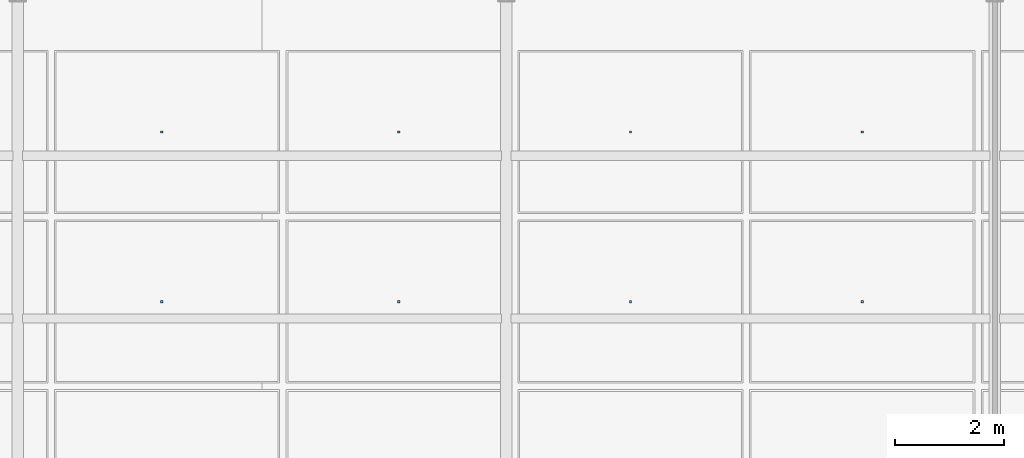
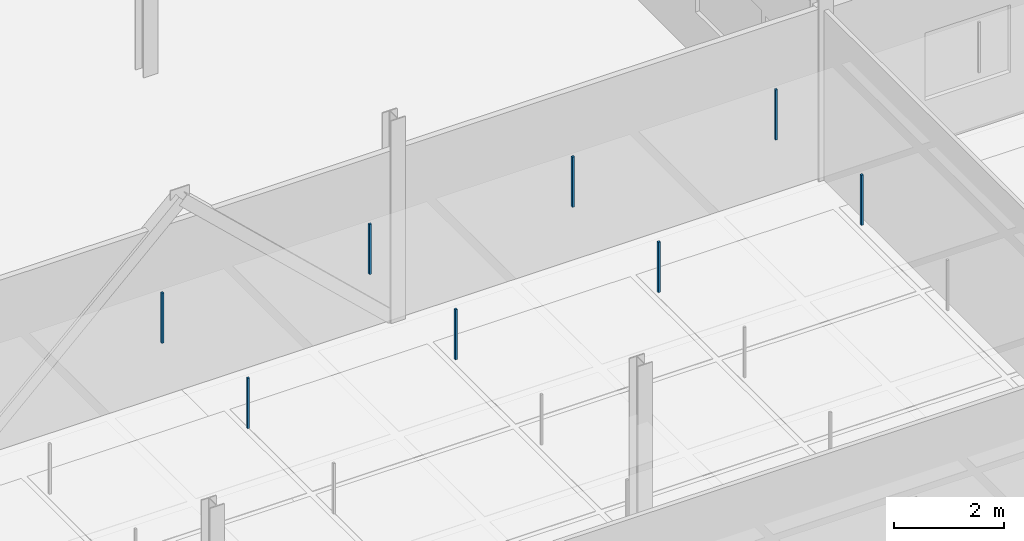
# One storey, part 105 of 130: 8 discrete accessories.
"""IFC4 building model written with IfcOpenShell, lengths in metres."""

from ifc_helpers import new_model, si_unit, direction, frame, origin, origin_2d, place, context, subcontext, project, spatial, rectangle, extrude, material, type_object, element, save


model = new_model("IFC4")

# Units and contexts
model_context = context("Model", 3, precision=1e-05, world=origin(), true_north=direction((0.0, 1.0)))
body_context = subcontext(model_context, "Body", "Model", "MODEL_VIEW")
ifc_project = project(units=[si_unit("LENGTHUNIT", "METRE"), si_unit("AREAUNIT", "SQUARE_METRE"), si_unit("VOLUMEUNIT", "CUBIC_METRE"), si_unit("PLANEANGLEUNIT", "RADIAN"), si_unit("MASSUNIT", "GRAM", prefix="KILO"), si_unit("THERMODYNAMICTEMPERATUREUNIT", "KELVIN"), si_unit("POWERUNIT", "WATT")], contexts=[model_context])

# Site, building, storey
site_placement = place(None, origin())
site = spatial("IfcSite", under=ifc_project, at=site_placement, CompositionType="ELEMENT")
building_placement = place(site_placement, origin())
building = spatial("IfcBuilding", under=site, at=building_placement, Name="Tallowbark Science Centre", CompositionType="ELEMENT")
storey_placement = place(building_placement, frame((0.0, 0.0, 5.39990234375)))
storey = spatial("IfcBuildingStorey", under=building, at=storey_placement, Name="L01", CompositionType="ELEMENT", Elevation=5.39990234375)

# Discrete accessories
ifc_material = material(Name="Galvanised Steel Grade C350L0 (350 MPa)", Category="steel")
discrete_accessory_type = type_object("IfcDiscreteAccessoryType", Name="ACC-CLG-HNG", PredefinedType="BRACKET", material=ifc_material)
for number, where, z_axis, x_axis, name in (
    (1, (83.652587890625, 93.3125, 3.205078125), (0.0, 0.0, 1.0), (1.0, 0.0, 0.0), "Ceiling Hanger Bracket L01-637"),
    (2, (83.652587890625, 96.4375, 3.205078125), (0.0, 0.0, 1.0), (1.0, 0.0, 0.0), "Ceiling Hanger Bracket L01-638"),
    (3, (88.019287109375, 93.3125, 3.205078125), (0.0, 0.0, 1.0), (1.0, 0.0, 0.0), "Ceiling Hanger Bracket L01-645"),
    (4, (88.019287109375, 96.4375, 3.205078125), (0.0, 0.0, 1.0), (1.0, 0.0, 0.0), "Ceiling Hanger Bracket L01-646"),
    (5, (92.28857421875, 93.3125, 3.205078125), (0.0, 0.0, 1.0), (1.0, 0.0, 0.0), "Ceiling Hanger Bracket L01-653"),
    (6, (92.28857421875, 96.4375, 3.205078125), (0.0, 0.0, 1.0), (1.0, 0.0, 0.0), "Ceiling Hanger Bracket L01-654"),
    (7, (96.5576171875, 93.3125, 3.205078125), (0.0, 0.0, 1.0), (1.0, 0.0, 0.0), "Ceiling Hanger Bracket L01-661"),
    (8, (96.5576171875, 96.4375, 3.205078125), (0.0, 0.0, 1.0), (1.0, 0.0, 0.0), "Ceiling Hanger Bracket L01-662"),
):
    element("IfcDiscreteAccessory", number, at=place(storey_placement, frame(where, z_axis=z_axis, x_axis=x_axis)), inside=storey, type_object=discrete_accessory_type, Name=name, PredefinedType="BRACKET", context=body_context, shape_type="SweptSolid", body=[
        extrude(rectangle(XDim=0.044921875, YDim=0.044921875, at=origin_2d()), origin(), (0.0, 0.0, 1.0), 1.117919921875),
    ])

save(model, "model.ifc")
